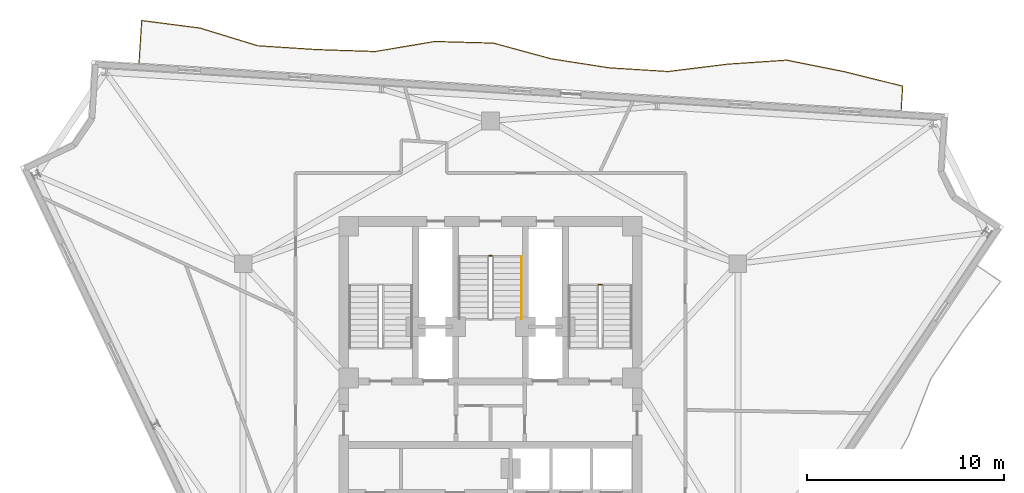
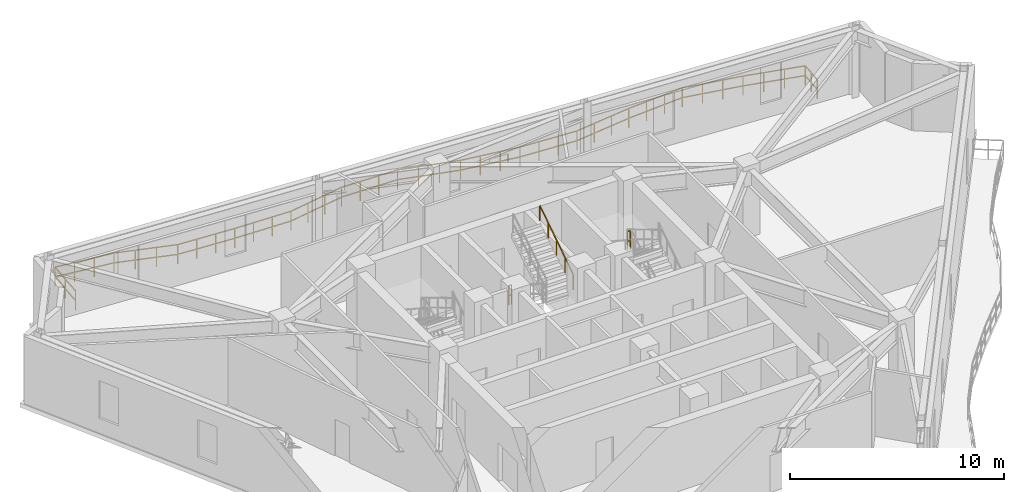
# One storey, part 10 of 10: 4 railings.
"""IFC4 building model written with IfcOpenShell, lengths in metres."""

from ifc_helpers import new_model, si_unit, direction, frame, origin, origin_2d, place, context, subcontext, project, spatial, rectangle, extrude, material, type_object, element, save


model = new_model("IFC4")

# Units and contexts
model_context = context("Model", 3, precision=1e-05, world=origin(), true_north=direction((0.0, 1.0)))
body_context = subcontext(model_context, "Body", "Model", "MODEL_VIEW")
ifc_project = project(units=[si_unit("LENGTHUNIT", "METRE"), si_unit("AREAUNIT", "SQUARE_METRE"), si_unit("VOLUMEUNIT", "CUBIC_METRE"), si_unit("PLANEANGLEUNIT", "RADIAN"), si_unit("MASSUNIT", "GRAM", prefix="KILO")], contexts=[model_context])

# Site, building, storey
site_placement = place(None, origin())
site = spatial("IfcSite", under=ifc_project, at=site_placement, CompositionType="ELEMENT")
building_placement = place(site_placement, origin())
building = spatial("IfcBuilding", under=site, at=building_placement, Name="Apsidion Concourse Tower", CompositionType="ELEMENT")
storey_placement = place(building_placement, frame((0.0, 0.0, 310.60009765625)))
storey = spatial("IfcBuildingStorey", under=building, at=storey_placement, Name="L73", CompositionType="ELEMENT", Elevation=310.60009765625)

# Railings
ifc_material = material(Name="Brushed stainless steel 316", Category="steel")
railing_type_1 = type_object("IfcRailingType", Name="RL-BAL-1120", PredefinedType="BALUSTRADE", material=ifc_material)
railing_1_placement = place(storey_placement, frame((-17.848388671875, 17.43896484375, 0.0)))
element("IfcRailing", 1, at=railing_1_placement, inside=storey, type_object=railing_type_1, Name="L73 Face 3 Rippling Balcony Balustrade", PredefinedType="BALUSTRADE", context=body_context, shape_type="SweptSolid", body=[
    extrude(rectangle(XDim=0.048095703125, YDim=0.048095703125, at=origin_2d()), frame((0.0, 0.0, 1.09619140625), z_axis=(0.062224170902, 0.998062198741, 0.0), x_axis=(-0.998062198741, 0.062224170902, 0.0)), (0.0, 0.0, 1.0), 2.169677734375),
    extrude(rectangle(XDim=0.048095703125, YDim=0.048095703125, at=origin_2d()), frame((0.0, 0.0, 0.5361328125), z_axis=(0.062224170902, 0.998062198741, 0.0), x_axis=(-0.998062198741, 0.062224170902, 0.0)), (0.0, 0.0, 1.0), 2.169677734375),
    extrude(rectangle(XDim=0.048095703125, YDim=0.048095703125, at=origin_2d()), frame((0.135009765625, 2.16552734375, 1.09619140625), z_axis=(0.99174774995, -0.12820452593, 0.0), x_axis=(0.12820452593, 0.99174774995, 0.0)), (0.0, 0.0, 1.0), 2.98974609375),
    extrude(rectangle(XDim=0.048095703125, YDim=0.048095703125, at=origin_2d()), frame((0.135009765625, 2.16552734375, 0.5361328125), z_axis=(0.99174774995, -0.12820452593, 0.0), x_axis=(0.12820452593, 0.99174774995, 0.0)), (0.0, 0.0, 1.0), 2.98974609375),
    extrude(rectangle(XDim=0.048095703125, YDim=0.048095703125, at=origin_2d()), frame((3.10009765625, 1.7822265625, 1.09619140625), z_axis=(0.956187678805, -0.292754372983, 0.0), x_axis=(0.292754372983, 0.956187678805, 0.0)), (0.0, 0.0, 1.0), 3.067138671875),
    extrude(rectangle(XDim=0.048095703125, YDim=0.048095703125, at=origin_2d()), frame((3.10009765625, 1.7822265625, 0.5361328125), z_axis=(0.956187678805, -0.292754372983, 0.0), x_axis=(0.292754372983, 0.956187678805, 0.0)), (0.0, 0.0, 1.0), 3.067138671875),
    extrude(rectangle(XDim=0.048095703125, YDim=0.048095703125, at=origin_2d()), frame((6.032958984375, 0.88427734375, 1.09619140625), z_axis=(0.997891759539, -0.064900202191, 0.0), x_axis=(0.064900202191, 0.997891759539, 0.0)), (0.0, 0.0, 1.0), 2.983154296875),
    extrude(rectangle(XDim=0.048095703125, YDim=0.048095703125, at=origin_2d()), frame((6.032958984375, 0.88427734375, 0.5361328125), z_axis=(0.997891759539, -0.064900202191, 0.0), x_axis=(0.064900202191, 0.997891759539, 0.0)), (0.0, 0.0, 1.0), 2.983154296875),
    extrude(rectangle(XDim=0.048095703125, YDim=0.048095703125, at=origin_2d()), frame((9.009765625, 0.690673828125, 1.09619140625), z_axis=(0.999456378407, -0.032968889293, 0.0), x_axis=(0.032968889293, 0.999456378407, 0.0)), (0.0, 0.0, 1.0), 2.984375),
    extrude(rectangle(XDim=0.048095703125, YDim=0.048095703125, at=origin_2d()), frame((9.009765625, 0.690673828125, 0.5361328125), z_axis=(0.999456378407, -0.032968889293, 0.0), x_axis=(0.032968889293, 0.999456378407, 0.0)), (0.0, 0.0, 1.0), 2.984375),
    extrude(rectangle(XDim=0.048095703125, YDim=0.048095703125, at=origin_2d()), frame((11.992431640625, 0.59228515625, 1.09619140625), z_axis=(0.986110294856, 0.166091801057, 0.0), x_axis=(-0.166091801057, 0.986110294856, 0.0)), (0.0, 0.0, 1.0), 3.063232421875),
    extrude(rectangle(XDim=0.048095703125, YDim=0.048095703125, at=origin_2d()), frame((11.992431640625, 0.59228515625, 0.5361328125), z_axis=(0.986110294856, 0.166091801057, 0.0), x_axis=(-0.166091801057, 0.986110294856, 0.0)), (0.0, 0.0, 1.0), 3.063232421875),
    extrude(rectangle(XDim=0.048095703125, YDim=0.048095703125, at=origin_2d()), frame((15.01318359375, 1.10107421875, 1.09619140625), z_axis=(0.999631198754, -0.027156334014, 0.0), x_axis=(0.027156334014, 0.999631198754, 0.0)), (0.0, 0.0, 1.0), 2.98486328125),
    extrude(rectangle(XDim=0.048095703125, YDim=0.048095703125, at=origin_2d()), frame((15.01318359375, 1.10107421875, 0.5361328125), z_axis=(0.999631198754, -0.027156334014, 0.0), x_axis=(0.027156334014, 0.999631198754, 0.0)), (0.0, 0.0, 1.0), 2.98486328125),
    extrude(rectangle(XDim=0.048095703125, YDim=0.048095703125, at=origin_2d()), frame((17.996826171875, 1.02001953125, 1.09619140625), z_axis=(0.965014951184, -0.262194858819, 0.0), x_axis=(0.262194858819, 0.965014951184, 0.0)), (0.0, 0.0, 1.0), 3.045654296875),
    extrude(rectangle(XDim=0.048095703125, YDim=0.048095703125, at=origin_2d()), frame((17.996826171875, 1.02001953125, 0.5361328125), z_axis=(0.965014951184, -0.262194858819, 0.0), x_axis=(0.262194858819, 0.965014951184, 0.0)), (0.0, 0.0, 1.0), 3.045654296875),
    extrude(rectangle(XDim=0.048095703125, YDim=0.048095703125, at=origin_2d()), frame((20.93603515625, 0.221435546875, 1.09619140625), z_axis=(0.988179651385, -0.153300282413, 0.0), x_axis=(0.153300282413, 0.988179651385, 0.0)), (0.0, 0.0, 1.0), 2.99560546875),
    extrude(rectangle(XDim=0.048095703125, YDim=0.048095703125, at=origin_2d()), frame((20.93603515625, 0.221435546875, 0.5361328125), z_axis=(0.988179651385, -0.153300282413, 0.0), x_axis=(0.153300282413, 0.988179651385, 0.0)), (0.0, 0.0, 1.0), 2.99560546875),
    extrude(rectangle(XDim=0.048095703125, YDim=0.048095703125, at=origin_2d()), frame((23.896240234375, -0.23779296875, 1.09619140625), z_axis=(0.998058624336, -0.062281477091, 0.0), x_axis=(0.062281477091, 0.998058624336, 0.0)), (0.0, 0.0, 1.0), 2.983154296875),
    extrude(rectangle(XDim=0.048095703125, YDim=0.048095703125, at=origin_2d()), frame((23.896240234375, -0.23779296875, 0.5361328125), z_axis=(0.998058624336, -0.062281477091, 0.0), x_axis=(0.062281477091, 0.998058624336, 0.0)), (0.0, 0.0, 1.0), 2.983154296875),
    extrude(rectangle(XDim=0.048095703125, YDim=0.048095703125, at=origin_2d()), frame((26.87353515625, -0.423583984375, 1.09619140625), z_axis=(0.992379013661, 0.123222941233, 0.0), x_axis=(-0.123222941233, 0.992379013661, 0.0)), (0.0, 0.0, 1.0), 3.035400390625),
    extrude(rectangle(XDim=0.048095703125, YDim=0.048095703125, at=origin_2d()), frame((26.87353515625, -0.423583984375, 0.5361328125), z_axis=(0.992379013661, 0.123222941233, 0.0), x_axis=(-0.123222941233, 0.992379013661, 0.0)), (0.0, 0.0, 1.0), 3.035400390625),
    extrude(rectangle(XDim=0.048095703125, YDim=0.048095703125, at=origin_2d()), frame((29.8857421875, -0.049560546875, 1.09619140625), z_axis=(0.997723327603, 0.067440058991, 0.0), x_axis=(-0.067440058991, 0.997723327603, 0.0)), (0.0, 0.0, 1.0), 3.00830078125),
    extrude(rectangle(XDim=0.048095703125, YDim=0.048095703125, at=origin_2d()), frame((29.8857421875, -0.049560546875, 0.5361328125), z_axis=(0.997723327603, 0.067440058991, 0.0), x_axis=(-0.067440058991, 0.997723327603, 0.0)), (0.0, 0.0, 1.0), 3.00830078125),
    extrude(rectangle(XDim=0.048095703125, YDim=0.048095703125, at=origin_2d()), frame((32.88720703125, 0.1533203125, 1.09619140625), z_axis=(0.980602502923, -0.19600696738, 0.0), x_axis=(0.19600696738, 0.980602502923, 0.0)), (0.0, 0.0, 1.0), 3.010498046875),
    extrude(rectangle(XDim=0.048095703125, YDim=0.048095703125, at=origin_2d()), frame((32.88720703125, 0.1533203125, 0.5361328125), z_axis=(0.980602502923, -0.19600696738, 0.0), x_axis=(0.19600696738, 0.980602502923, 0.0)), (0.0, 0.0, 1.0), 3.010498046875),
    extrude(rectangle(XDim=0.048095703125, YDim=0.048095703125, at=origin_2d()), frame((35.83935546875, -0.436767578125, 1.09619140625), z_axis=(0.970633033732, -0.240564988785, 0.0), x_axis=(0.240564988785, 0.970633033732, 0.0)), (0.0, 0.0, 1.0), 3.032470703125),
    extrude(rectangle(XDim=0.048095703125, YDim=0.048095703125, at=origin_2d()), frame((35.83935546875, -0.436767578125, 0.5361328125), z_axis=(0.970633033732, -0.240564988785, 0.0), x_axis=(0.240564988785, 0.970633033732, 0.0)), (0.0, 0.0, 1.0), 3.032470703125),
    extrude(rectangle(XDim=0.048095703125, YDim=0.048095703125, at=origin_2d()), frame((38.78271484375, -1.166259765625, 1.09619140625), z_axis=(-0.06230532804, -0.998057135688, 0.0), x_axis=(0.998057135688, -0.06230532804, 0.0)), (0.0, 0.0, 1.0), 1.25),
    extrude(rectangle(XDim=0.048095703125, YDim=0.048095703125, at=origin_2d()), frame((38.78271484375, -1.166259765625, 0.5361328125), z_axis=(-0.06230532804, -0.998057135688, 0.0), x_axis=(0.998057135688, -0.06230532804, 0.0)), (0.0, 0.0, 1.0), 1.25),
    extrude(rectangle(XDim=0.0419921875, YDim=0.0419921875, at=origin_2d()), origin(), (0.0, 0.0, 1.0), 1.072021484375),
    extrude(rectangle(XDim=0.0419921875, YDim=0.0419921875, at=origin_2d()), frame((0.0673828125, 1.082763671875, 0.0)), (0.0, 0.0, 1.0), 1.072021484375),
    extrude(rectangle(XDim=0.0419921875, YDim=0.0419921875, at=origin_2d()), frame((0.135009765625, 2.16552734375, 0.0)), (0.0, 0.0, 1.0), 1.072021484375),
    extrude(rectangle(XDim=0.0419921875, YDim=0.0419921875, at=origin_2d()), frame((1.123291015625, 2.037841796875, 0.0)), (0.0, 0.0, 1.0), 1.072021484375),
    extrude(rectangle(XDim=0.0419921875, YDim=0.0419921875, at=origin_2d()), frame((2.11181640625, 1.909912109375, 0.0)), (0.0, 0.0, 1.0), 1.072021484375),
    extrude(rectangle(XDim=0.0419921875, YDim=0.0419921875, at=origin_2d()), frame((3.10009765625, 1.7822265625, 0.0)), (0.0, 0.0, 1.0), 1.072021484375),
    extrude(rectangle(XDim=0.0419921875, YDim=0.0419921875, at=origin_2d()), frame((4.07763671875, 1.48291015625, 0.0)), (0.0, 0.0, 1.0), 1.072021484375),
    extrude(rectangle(XDim=0.0419921875, YDim=0.0419921875, at=origin_2d()), frame((5.055419921875, 1.18359375, 0.0)), (0.0, 0.0, 1.0), 1.072021484375),
    extrude(rectangle(XDim=0.0419921875, YDim=0.0419921875, at=origin_2d()), frame((6.032958984375, 0.88427734375, 0.0)), (0.0, 0.0, 1.0), 1.072021484375),
    extrude(rectangle(XDim=0.0419921875, YDim=0.0419921875, at=origin_2d()), frame((7.025146484375, 0.81982421875, 0.0)), (0.0, 0.0, 1.0), 1.072021484375),
    extrude(rectangle(XDim=0.0419921875, YDim=0.0419921875, at=origin_2d()), frame((8.017578125, 0.755126953125, 0.0)), (0.0, 0.0, 1.0), 1.072021484375),
    extrude(rectangle(XDim=0.0419921875, YDim=0.0419921875, at=origin_2d()), frame((9.009765625, 0.690673828125, 0.0)), (0.0, 0.0, 1.0), 1.072021484375),
    extrude(rectangle(XDim=0.0419921875, YDim=0.0419921875, at=origin_2d()), frame((10.00390625, 0.657958984375, 0.0)), (0.0, 0.0, 1.0), 1.072021484375),
    extrude(rectangle(XDim=0.0419921875, YDim=0.0419921875, at=origin_2d()), frame((10.998291015625, 0.625, 0.0)), (0.0, 0.0, 1.0), 1.072021484375),
    extrude(rectangle(XDim=0.0419921875, YDim=0.0419921875, at=origin_2d()), frame((11.992431640625, 0.59228515625, 0.0)), (0.0, 0.0, 1.0), 1.072021484375),
    extrude(rectangle(XDim=0.0419921875, YDim=0.0419921875, at=origin_2d()), frame((12.999267578125, 0.761962890625, 0.0)), (0.0, 0.0, 1.0), 1.072021484375),
    extrude(rectangle(XDim=0.0419921875, YDim=0.0419921875, at=origin_2d()), frame((14.00634765625, 0.931396484375, 0.0)), (0.0, 0.0, 1.0), 1.072021484375),
    extrude(rectangle(XDim=0.0419921875, YDim=0.0419921875, at=origin_2d()), frame((15.01318359375, 1.10107421875, 0.0)), (0.0, 0.0, 1.0), 1.072021484375),
    extrude(rectangle(XDim=0.0419921875, YDim=0.0419921875, at=origin_2d()), frame((16.0078125, 1.073974609375, 0.0)), (0.0, 0.0, 1.0), 1.072021484375),
    extrude(rectangle(XDim=0.0419921875, YDim=0.0419921875, at=origin_2d()), frame((17.002197265625, 1.047119140625, 0.0)), (0.0, 0.0, 1.0), 1.072021484375),
    extrude(rectangle(XDim=0.0419921875, YDim=0.0419921875, at=origin_2d()), frame((17.996826171875, 1.02001953125, 0.0)), (0.0, 0.0, 1.0), 1.072021484375),
    extrude(rectangle(XDim=0.0419921875, YDim=0.0419921875, at=origin_2d()), frame((18.9765625, 0.75390625, 0.0)), (0.0, 0.0, 1.0), 1.072021484375),
    extrude(rectangle(XDim=0.0419921875, YDim=0.0419921875, at=origin_2d()), frame((19.956298828125, 0.487548828125, 0.0)), (0.0, 0.0, 1.0), 1.072021484375),
    extrude(rectangle(XDim=0.0419921875, YDim=0.0419921875, at=origin_2d()), frame((20.93603515625, 0.221435546875, 0.0)), (0.0, 0.0, 1.0), 1.072021484375),
    extrude(rectangle(XDim=0.0419921875, YDim=0.0419921875, at=origin_2d()), frame((21.9228515625, 0.068359375, 0.0)), (0.0, 0.0, 1.0), 1.072021484375),
    extrude(rectangle(XDim=0.0419921875, YDim=0.0419921875, at=origin_2d()), frame((22.909423828125, -0.084716796875, 0.0)), (0.0, 0.0, 1.0), 1.072021484375),
    extrude(rectangle(XDim=0.0419921875, YDim=0.0419921875, at=origin_2d()), frame((23.896240234375, -0.23779296875, 0.0)), (0.0, 0.0, 1.0), 1.072021484375),
    extrude(rectangle(XDim=0.0419921875, YDim=0.0419921875, at=origin_2d()), frame((24.888671875, -0.2998046875, 0.0)), (0.0, 0.0, 1.0), 1.072021484375),
    extrude(rectangle(XDim=0.0419921875, YDim=0.0419921875, at=origin_2d()), frame((25.881103515625, -0.361572265625, 0.0)), (0.0, 0.0, 1.0), 1.072021484375),
    extrude(rectangle(XDim=0.0419921875, YDim=0.0419921875, at=origin_2d()), frame((26.87353515625, -0.423583984375, 0.0)), (0.0, 0.0, 1.0), 1.072021484375),
    extrude(rectangle(XDim=0.0419921875, YDim=0.0419921875, at=origin_2d()), frame((27.877685546875, -0.298828125, 0.0)), (0.0, 0.0, 1.0), 1.072021484375),
    extrude(rectangle(XDim=0.0419921875, YDim=0.0419921875, at=origin_2d()), frame((28.881591796875, -0.17431640625, 0.0)), (0.0, 0.0, 1.0), 1.072021484375),
    extrude(rectangle(XDim=0.0419921875, YDim=0.0419921875, at=origin_2d()), frame((29.8857421875, -0.049560546875, 0.0)), (0.0, 0.0, 1.0), 1.072021484375),
    extrude(rectangle(XDim=0.0419921875, YDim=0.0419921875, at=origin_2d()), frame((30.88623046875, 0.01806640625, 0.0)), (0.0, 0.0, 1.0), 1.072021484375),
    extrude(rectangle(XDim=0.0419921875, YDim=0.0419921875, at=origin_2d()), frame((31.88671875, 0.085693359375, 0.0)), (0.0, 0.0, 1.0), 1.072021484375),
    extrude(rectangle(XDim=0.0419921875, YDim=0.0419921875, at=origin_2d()), frame((32.88720703125, 0.1533203125, 0.0)), (0.0, 0.0, 1.0), 1.072021484375),
    extrude(rectangle(XDim=0.0419921875, YDim=0.0419921875, at=origin_2d()), frame((33.871337890625, -0.04345703125, 0.0)), (0.0, 0.0, 1.0), 1.072021484375),
    extrude(rectangle(XDim=0.0419921875, YDim=0.0419921875, at=origin_2d()), frame((34.855224609375, -0.239990234375, 0.0)), (0.0, 0.0, 1.0), 1.072021484375),
    extrude(rectangle(XDim=0.0419921875, YDim=0.0419921875, at=origin_2d()), frame((35.83935546875, -0.436767578125, 0.0)), (0.0, 0.0, 1.0), 1.072021484375),
    extrude(rectangle(XDim=0.0419921875, YDim=0.0419921875, at=origin_2d()), frame((36.820556640625, -0.679931640625, 0.0)), (0.0, 0.0, 1.0), 1.072021484375),
    extrude(rectangle(XDim=0.0419921875, YDim=0.0419921875, at=origin_2d()), frame((37.801513671875, -0.923095703125, 0.0)), (0.0, 0.0, 1.0), 1.072021484375),
    extrude(rectangle(XDim=0.0419921875, YDim=0.0419921875, at=origin_2d()), frame((38.78271484375, -1.166259765625, 0.0)), (0.0, 0.0, 1.0), 1.072021484375),
    extrude(rectangle(XDim=0.0419921875, YDim=0.0419921875, at=origin_2d()), frame((38.74365234375, -1.7900390625, 0.0)), (0.0, 0.0, 1.0), 1.072021484375),
    extrude(rectangle(XDim=0.0419921875, YDim=0.0419921875, at=origin_2d()), frame((38.704833984375, -2.413818359375, 0.0)), (0.0, 0.0, 1.0), 1.072021484375),
])
railing_type_2 = type_object("IfcRailingType", Name="RL-GUARD-1100", PredefinedType="GUARDRAIL", material=ifc_material)
railing_2_placement = place(storey_placement, frame((5.64990234375, 6.18505859375, 2.0498046875)))
element("IfcRailing", 2, at=railing_2_placement, inside=storey, type_object=railing_type_2, Name="L73 ST2 stair guard 2", PredefinedType="GUARDRAIL", context=body_context, shape_type="SweptSolid", body=[
    extrude(rectangle(XDim=0.048095703125, YDim=0.048095703125, at=origin_2d()), frame((0.0, 0.0, 1.09619140625), z_axis=(-1.0, 0.0, 0.0), x_axis=(0.0, -1.0, 0.0)), (0.0, 0.0, 1.0), 0.14990234375),
    extrude(rectangle(XDim=0.048095703125, YDim=0.048095703125, at=origin_2d()), frame((0.0, 0.0, 0.5361328125), z_axis=(-1.0, 0.0, 0.0), x_axis=(0.0, -1.0, 0.0)), (0.0, 0.0, 1.0), 0.14990234375),
    extrude(rectangle(XDim=0.0419921875, YDim=0.0419921875, at=origin_2d()), origin(), (0.0, 0.0, 1.0), 1.072021484375),
    extrude(rectangle(XDim=0.0419921875, YDim=0.0419921875, at=origin_2d()), frame((-0.14990234375, 0.0, 0.0)), (0.0, 0.0, 1.0), 1.072021484375),
])
railing_3_placement = place(storey_placement, frame((-0.074951171875, 7.64990234375, 0.0)))
element("IfcRailing", 3, at=railing_3_placement, inside=storey, type_object=railing_type_2, Name="L73 ST3 stair guard 4", PredefinedType="GUARDRAIL", context=body_context, shape_type="SweptSolid", body=[
    extrude(rectangle(XDim=0.048095703125, YDim=0.048095703125, at=origin_2d()), frame((0.0, 0.0, 1.09619140625), z_axis=(1.0, 0.0, 0.0), x_axis=(0.0, 1.0, 0.0)), (0.0, 0.0, 1.0), 0.14990234375),
    extrude(rectangle(XDim=0.048095703125, YDim=0.048095703125, at=origin_2d()), frame((0.0, 0.0, 0.5361328125), z_axis=(1.0, 0.0, 0.0), x_axis=(0.0, 1.0, 0.0)), (0.0, 0.0, 1.0), 0.14990234375),
    extrude(rectangle(XDim=0.0419921875, YDim=0.0419921875, at=origin_2d()), origin(), (0.0, 0.0, 1.0), 1.072021484375),
    extrude(rectangle(XDim=0.0419921875, YDim=0.0419921875, at=origin_2d()), frame((0.14990234375, 0.0, 0.0)), (0.0, 0.0, 1.0), 1.072021484375),
])
railing_type_3 = type_object("IfcRailingType", Name="RL-HAND-900", PredefinedType="HANDRAIL", material=ifc_material)
railing_4_placement = place(storey_placement, frame((1.574951171875, 4.465087890625, 2.220703125)))
element("IfcRailing", 4, at=railing_4_placement, inside=storey, type_object=railing_type_3, Name="L73 ST3 stair handrail 2", PredefinedType="HANDRAIL", context=body_context, shape_type="SweptSolid", body=[
    extrude(rectangle(XDim=0.048095703125, YDim=0.048095703125, at=origin_2d()), frame((0.0, 0.0, 0.8759765625), z_axis=(0.0, 0.836940907821, 0.547293263996), x_axis=(-1.0, 0.0, 0.0)), (0.0, 0.0, 1.0), 3.745849609375),
    extrude(rectangle(XDim=0.0419921875, YDim=0.0419921875, at=origin_2d()), origin(), (0.0, 0.0, 1.0), 0.851806640625),
    extrude(rectangle(XDim=0.0419921875, YDim=0.0419921875, at=origin_2d()), frame((0.0, 0.78369140625, 0.512451171875)), (0.0, 0.0, 1.0), 0.851806640625),
    extrude(rectangle(XDim=0.0419921875, YDim=0.0419921875, at=origin_2d()), frame((0.0, 1.5673828125, 1.02490234375)), (0.0, 0.0, 1.0), 0.851806640625),
    extrude(rectangle(XDim=0.0419921875, YDim=0.0419921875, at=origin_2d()), frame((0.0, 2.351318359375, 1.53759765625)), (0.0, 0.0, 1.0), 0.851806640625),
    extrude(rectangle(XDim=0.0419921875, YDim=0.0419921875, at=origin_2d()), frame((0.0, 3.135009765625, 2.050048828125)), (0.0, 0.0, 1.0), 0.851806640625),
])

save(model, "model.ifc")
